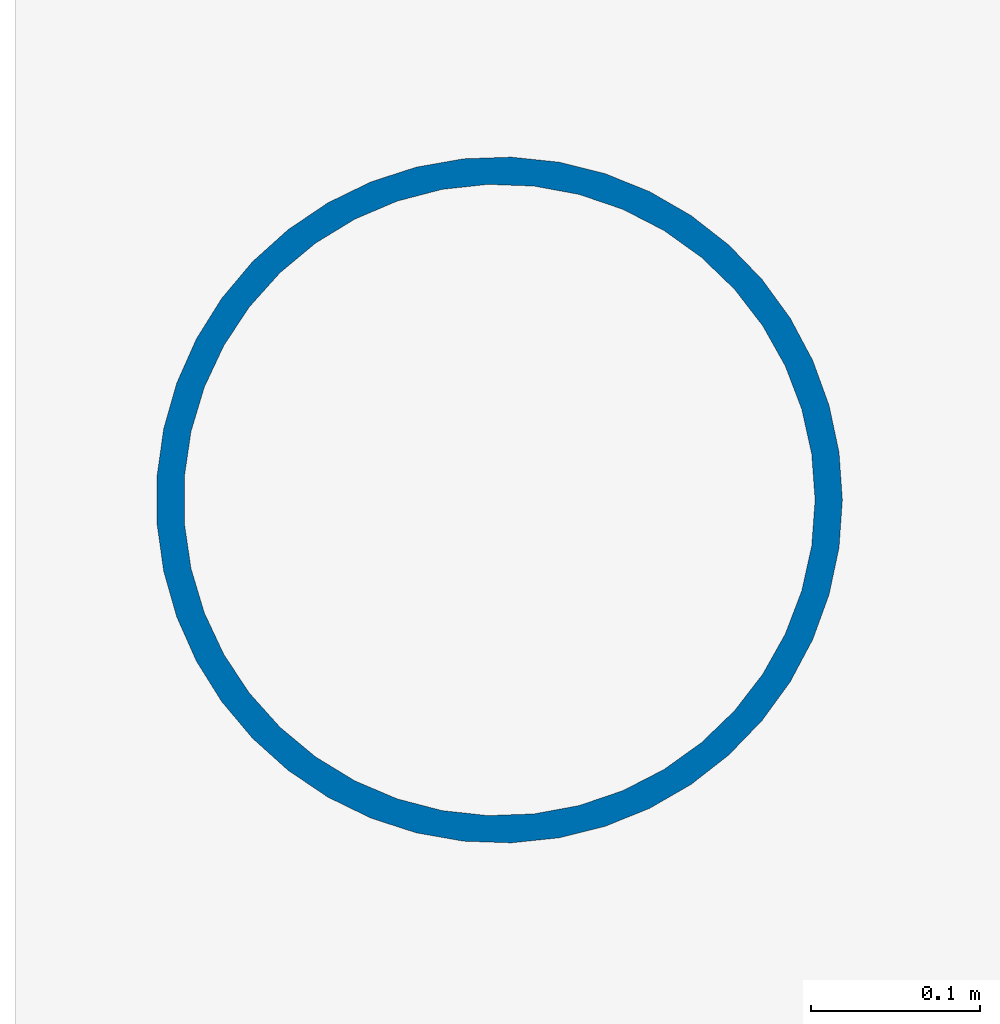
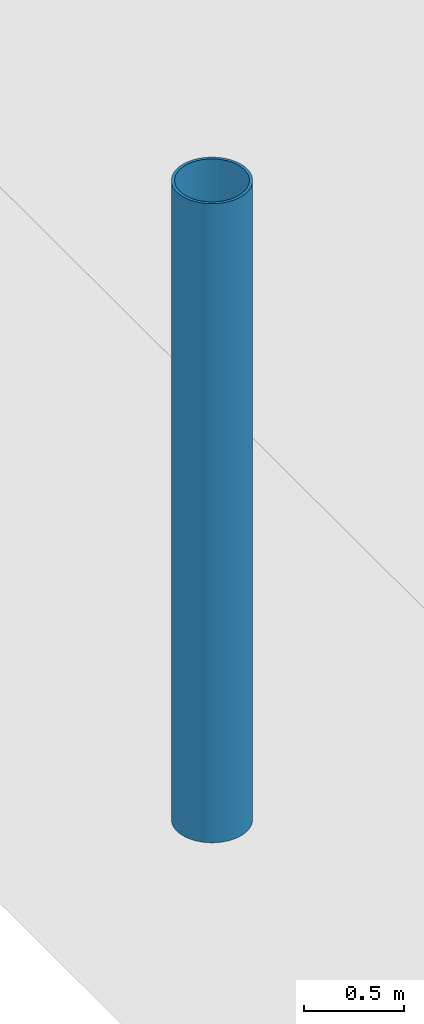
# One storey, part 3 of 95: 1 column.
"""IFC4 building model written with IfcOpenShell, lengths in metres."""

from ifc_helpers import new_model, si_unit, direction, frame, origin, origin_2d, place, context, subcontext, project, spatial, hollow_circle, extrude, material, material_profile, profile_set, type_object, element, save


model = new_model("IFC4")

# Units and contexts
model_context = context("Model", 3, precision=1e-05, world=origin(), true_north=direction((0.0, 1.0)))
body_context = subcontext(model_context, "Body", "Model", "MODEL_VIEW")
ifc_project = project(units=[si_unit("LENGTHUNIT", "METRE"), si_unit("AREAUNIT", "SQUARE_METRE"), si_unit("VOLUMEUNIT", "CUBIC_METRE"), si_unit("PLANEANGLEUNIT", "RADIAN"), si_unit("MASSUNIT", "GRAM", prefix="KILO")], contexts=[model_context])

# Site, building, storey
site_placement = place(None, origin())
site = spatial("IfcSite", under=ifc_project, at=site_placement, CompositionType="ELEMENT")
building_placement = place(site_placement, origin())
building = spatial("IfcBuilding", under=site, at=building_placement, Name="Magnolia Steps Interchange", CompositionType="ELEMENT")
storey_placement = place(building_placement, frame((0.0, 0.0, 4.800048828125)))
storey = spatial("IfcBuildingStorey", under=building, at=storey_placement, Name="L01", CompositionType="ELEMENT", Elevation=4.800048828125)

# Column
ifc_material = material(Name="Steel Q355B", Category="steel")
ifc_material_profile = material_profile(ifc_material, hollow_circle(Radius=0.202880859375, WallThickness=0.01611328125, at=origin_2d()), Name="CHS406x16")
ifc_profile_set = profile_set([ifc_material_profile], Name="Steel Q355B")
column_type = type_object("IfcColumnType", Name="Truss tip prop CHS406x16", PredefinedType="COLUMN", material=ifc_profile_set)
column_placement = place(storey_placement, frame((127.086181640625, 33.313720703125, 0.0), z_axis=(0.0, 0.0, 1.0), x_axis=(1.0, 0.0, 0.0)))
element("IfcColumn", 1, at=column_placement, inside=storey, type_object=column_type, Name="Tip prop SP-H-SE", PredefinedType="COLUMN", context=body_context, shape_type="SweptSolid", body=[
    extrude(hollow_circle(Radius=0.202880859375, WallThickness=0.01611328125, at=origin_2d()), origin(), (0.0, 0.0, 1.0), 3.892333984375),
])

save(model, "model.ifc")
